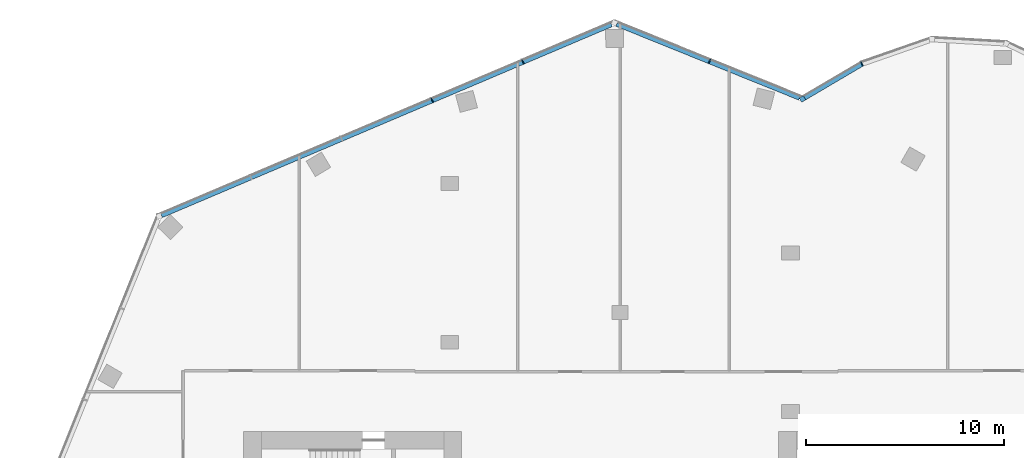
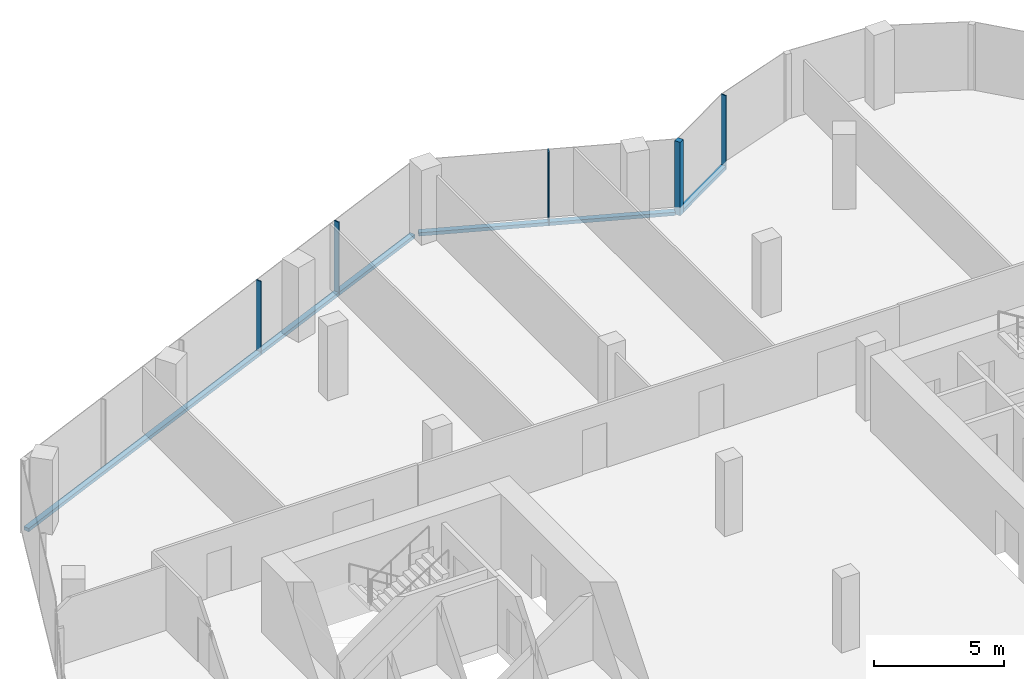
# One storey, part 7 of 17: 8 members, 4 elements without a shape of their own.
"""IFC4 building model written with IfcOpenShell, lengths in metres."""

import ifcopenshell
import ifcopenshell.guid

model = None  # the IFC model being written
_history = None  # IfcOwnerHistory: only IFC2X3 demands one
_inside = {}  # id of a spatial element -> (the spatial element, [elements in it])
_under = {}  # id of a project, library or spatial element -> (it, [spatial elements below it])
_declared = {}  # id of a project -> (the project, [libraries it declares])
_typed = {}  # id of a type object -> (the type object, [elements of that type])
_made_of = {}  # id of a material, layer set ... -> (it, [elements and type objects made of it])


def new_model(schema):
    """Start an empty IFC model of exactly this schema.

    Asked for "IFC4X3", IfcOpenShell would pick the latest addendum, in which some entities
    have other attributes; the version numbers below select the first issue.
    IFC2X3 requires an IfcOwnerHistory on every rooted entity: one is made here for all.
    """
    global model, _history
    if schema == "IFC4X3":
        model = ifcopenshell.file(schema_version=(4, 3, 0, 0))
    else:
        model = ifcopenshell.file(schema=schema)
    _inside.clear()
    _under.clear()
    _declared.clear()
    _typed.clear()
    _made_of.clear()
    _history = None
    if model.schema == "IFC2X3":
        org = make("IfcOrganization", Name="unknown")
        user = make(
            "IfcPersonAndOrganization",
            ThePerson=make("IfcPerson", FamilyName="unknown"),
            TheOrganization=org,
        )
        app = make(
            "IfcApplication",
            ApplicationDeveloper=org,
            Version="unknown",
            ApplicationFullName="unknown",
            ApplicationIdentifier="unknown",
        )
        _history = make(
            "IfcOwnerHistory",
            OwningUser=user,
            OwningApplication=app,
            ChangeAction="ADDED",
            CreationDate=0,
        )
    return model


def make(cls, **values):
    """One entity of the class cls with the attributes given. An attribute that is None is left unset."""
    return model.create_entity(
        cls, **{name: value for name, value in values.items() if value is not None}
    )


def rooted(cls, **values):
    """An entity with a GlobalId (a new one), such as an element, a storey or a relation."""
    return make(cls, GlobalId=ifcopenshell.guid.new(), OwnerHistory=_history, **values)


def si_unit(unit_type, name, prefix=None):
    """IfcSIUnit, for example si_unit("LENGTHUNIT", "METRE", prefix="MILLI")."""
    return make("IfcSIUnit", UnitType=unit_type, Prefix=prefix, Name=name)


def assignment(units):
    """IfcUnitAssignment: the units of a project."""
    return None if units is None else make("IfcUnitAssignment", Units=units)


def point(xyz):
    """IfcCartesianPoint."""
    return None if xyz is None else make("IfcCartesianPoint", Coordinates=xyz)


def direction(xyz):
    """IfcDirection."""
    return None if xyz is None else make("IfcDirection", DirectionRatios=xyz)


def frame(location, z_axis=None, x_axis=None):
    """IfcAxis2Placement3D, a coordinate frame: its origin and axes. An axis left out is left unset."""
    return make(
        "IfcAxis2Placement3D",
        Location=point(location),
        Axis=direction(z_axis),
        RefDirection=direction(x_axis),
    )


def frame_2d(location, x_axis=None):
    """IfcAxis2Placement2D, a coordinate frame in the plane: its origin and x axis."""
    return make(
        "IfcAxis2Placement2D", Location=point(location), RefDirection=direction(x_axis)
    )


def origin():
    """The frame at (0, 0, 0) with its axes left unset."""
    return frame((0.0, 0.0, 0.0))


def origin_2d():
    """The frame at (0, 0) in the plane with its x axis left unset."""
    return frame_2d((0.0, 0.0))


def place(relative_to, where):
    """IfcLocalPlacement: puts the frame where relative to a parent placement (None: the world)."""
    return make(
        "IfcLocalPlacement", PlacementRelTo=relative_to, RelativePlacement=where
    )


def context(
    kind, dimensions, precision=None, world=None, true_north=None, identifier=None
):
    """IfcGeometricRepresentationContext, for example the 3D "Model" context."""
    return make(
        "IfcGeometricRepresentationContext",
        ContextIdentifier=identifier,
        ContextType=kind,
        CoordinateSpaceDimension=dimensions,
        Precision=precision,
        WorldCoordinateSystem=world,
        TrueNorth=true_north,
    )


def subcontext(parent, identifier, kind, view, scale=None):
    """IfcGeometricRepresentationSubContext, for example "Body" below "Model"."""
    return make(
        "IfcGeometricRepresentationSubContext",
        ContextIdentifier=identifier,
        ContextType=kind,
        ParentContext=parent,
        TargetScale=scale,
        TargetView=view,
    )


def project(units=None, contexts=None):
    """IfcProject with its units and contexts."""
    return rooted(
        "IfcProject",
        Name="project",
        RepresentationContexts=contexts,
        UnitsInContext=assignment(units),
    )


def spatial(cls, under=None, at=None, **own):
    """A site, building, storey or space (cls), placed at a placement, below another one or the project."""
    s = rooted(cls, ObjectPlacement=at, **own)
    if under is not None:
        _under.setdefault(under.id(), (under, []))[1].append(s)
    return s


def profile(cls, at=None, kind="AREA", **sizes):
    """A parametric profile (cls). Its sizes go by their IFC names, for example OverallWidth=200.0."""
    return make(cls, ProfileType=kind, Position=at, **sizes)


def rectangle(**sizes):
    """IfcRectangleProfileDef."""
    return profile("IfcRectangleProfileDef", **sizes)


def extrude(swept, where, along, depth):
    """IfcExtrudedAreaSolid: the profile swept, set in the frame where, extruded along a direction by depth."""
    return make(
        "IfcExtrudedAreaSolid",
        SweptArea=swept,
        Position=where,
        ExtrudedDirection=direction(along),
        Depth=depth,
    )


def shape(context_of_items, identifier, shape_type, items):
    """IfcShapeRepresentation: the items that make up one representation, for example the "Body"."""
    return make(
        "IfcShapeRepresentation",
        ContextOfItems=context_of_items,
        RepresentationIdentifier=identifier,
        RepresentationType=shape_type,
        Items=items,
    )


def material(Name=None, Category=None):
    """IfcMaterial."""
    return make("IfcMaterial", Name=Name, Category=Category)


def material_profile(
    of_material, cross_section, Name=None, Category=None, Priority=None
):
    """IfcMaterialProfile: a cross section and its material."""
    return make(
        "IfcMaterialProfile",
        Name=Name,
        Material=of_material,
        Profile=cross_section,
        Priority=Priority,
        Category=Category,
    )


def profile_set(profiles, Name=None, composite=None):
    """IfcMaterialProfileSet."""
    return make(
        "IfcMaterialProfileSet",
        Name=Name,
        MaterialProfiles=profiles,
        CompositeProfile=composite,
    )


def made_of(thing, what):
    """Note that an element or type object is made of a material, layer set ...; save() writes the relation."""
    if what is not None:
        _made_of.setdefault(what.id(), (what, []))[1].append(thing)
    return thing


def type_object(cls, material=None, **own):
    """A type object (cls), such as IfcWallType, which elements share."""
    return made_of(rooted(cls, **own), material)


def element(
    cls,
    number,
    at=None,
    inside=None,
    cuts=None,
    type_object=None,
    material=None,
    context=None,
    identifier="Body",
    shape_type=None,
    held_by="IfcProductDefinitionShape",
    body=None,
    shapes=None,
    **own,
):
    """One element of the class cls, such as IfcWall. Its Tag is "e" and its number.

    at: its placement. inside: the storey or other place that contains it. cuts: it is an
    opening in that element (IfcRelVoidsElement). A single representation is given by context,
    identifier, shape_type and body (its items); several are given by shapes. held_by: the class
    of the entity that holds the representations. save() writes the other relations.
    """
    e = rooted(cls, Tag="e%d" % number, ObjectPlacement=at, **own)
    if body is not None:
        shapes = [shape(context, identifier, shape_type, body)]
    if shapes is not None:
        e.Representation = make(held_by, Representations=shapes)
    if inside is not None:
        _inside.setdefault(inside.id(), (inside, []))[1].append(e)
    if cuts is not None:
        rooted(
            "IfcRelVoidsElement", RelatingBuildingElement=cuts, RelatedOpeningElement=e
        )
    if type_object is not None:
        _typed.setdefault(type_object.id(), (type_object, []))[1].append(e)
    return made_of(e, material)


def aggregate(whole, parts):
    """IfcRelAggregates: a whole, such as a stair, and the parts it consists of."""
    return rooted("IfcRelAggregates", RelatingObject=whole, RelatedObjects=parts)


def save(model, path):
    """Write the relations noted so far, then the file.

    IfcRelAggregates (storeys below a building ...), IfcRelContainedInSpatialStructure (elements
    in a storey), IfcRelDefinesByType, IfcRelAssociatesMaterial and IfcRelDeclares: one each for
    every whole, place, type object, material and project.
    """
    for whole, parts in _under.values():
        aggregate(whole, parts)
    for where, things in _inside.values():
        rooted(
            "IfcRelContainedInSpatialStructure",
            RelatedElements=things,
            RelatingStructure=where,
        )
    for kind, things in _typed.values():
        rooted("IfcRelDefinesByType", RelatedObjects=things, RelatingType=kind)
    for what, things in _made_of.values():
        rooted("IfcRelAssociatesMaterial", RelatedObjects=things, RelatingMaterial=what)
    for by, libraries in _declared.values():
        rooted("IfcRelDeclares", RelatingContext=by, RelatedDefinitions=libraries)
    model.write(path)


model = new_model("IFC4")

# Units and contexts
model_context = context("Model", 3, precision=1e-05, world=origin(), true_north=direction((0.0, 1.0)))
body_context = subcontext(model_context, "Body", "Model", "MODEL_VIEW")
ifc_project = project(units=[si_unit("LENGTHUNIT", "METRE"), si_unit("AREAUNIT", "SQUARE_METRE"), si_unit("VOLUMEUNIT", "CUBIC_METRE"), si_unit("PLANEANGLEUNIT", "RADIAN"), si_unit("MASSUNIT", "GRAM", prefix="KILO")], contexts=[model_context])

# Site, building, storey
site_placement = place(None, origin())
site = spatial("IfcSite", under=ifc_project, at=site_placement, CompositionType="ELEMENT")
building_placement = place(site_placement, origin())
building = spatial("IfcBuilding", under=site, at=building_placement, Name="Orlundy Tower", CompositionType="ELEMENT")
storey_placement = place(building_placement, frame((0.0, 0.0, 296.39990234375)))
storey = spatial("IfcBuildingStorey", under=building, at=storey_placement, Name="L79", CompositionType="ELEMENT", Elevation=296.39990234375)

# Curtain wall, member
ifc_material_1 = material(Name="Aluminium bronze anodised", Category="aluminium")
curtain_wall_type = type_object("IfcCurtainWallType", Name="CW6 wall", PredefinedType="NOTDEFINED", material=ifc_material_1)
curtain_wall_1_placement = place(storey_placement, origin())
curtain_wall_1 = element("IfcCurtainWall", 1, at=curtain_wall_1_placement, inside=storey, type_object=curtain_wall_type, Name="CW6 run 08", PredefinedType="NOTDEFINED")
ifc_material_2 = material(Name="Aluminium bronze anodised", Category="aluminium")
ifc_material_profile_1 = material_profile(ifc_material_2, rectangle(XDim=0.239990234375, YDim=0.239990234375, at=origin_2d()), Name="CW6 corner post 240x240")
ifc_profile_set_1 = profile_set([ifc_material_profile_1], Name="Aluminium bronze anodised")
member_type_1 = type_object("IfcMemberType", Name="CW6 corner post 240x240", PredefinedType="MULLION", material=ifc_profile_set_1)
member_1_placement = place(storey_placement, frame((9.197998046875, 28.76953125, -0.39990234375), z_axis=(0.0, 0.0, 1.0), x_axis=(-0.507527218917, 0.861635724688, 0.0)))
member_1 = element("IfcMember", 2, at=member_1_placement, type_object=member_type_1, Name="CW6 mullion 33", PredefinedType="MULLION", context=body_context, shape_type="SweptSolid", body=[
    extrude(rectangle(XDim=0.239990234375, YDim=0.239990234375, at=origin_2d()), origin(), (0.0, 0.0, 1.0), 3.449951171875),
])

# Curtain wall, members
curtain_wall_2_placement = place(storey_placement, origin())
curtain_wall_2 = element("IfcCurtainWall", 3, at=curtain_wall_2_placement, inside=storey, type_object=curtain_wall_type, Name="CW6 run 06", PredefinedType="NOTDEFINED")
ifc_material_3 = material(Name="Aluminium bronze anodised", Category="aluminium")
ifc_material_profile_2 = material_profile(ifc_material_3, rectangle(XDim=0.239990234375, YDim=0.050048828125, at=origin_2d()), Name="CW6 mullion 50x240")
ifc_profile_set_2 = profile_set([ifc_material_profile_2], Name="Aluminium bronze anodised")
member_type_2 = type_object("IfcMemberType", Name="CW6 mullion 50x240", PredefinedType="MULLION", material=ifc_profile_set_2)
member_2_placement = place(storey_placement, frame((-9.481201171875, 28.697021484375, -0.39990234375), z_axis=(0.0, 0.0, 1.0), x_axis=(-0.390726531244, 0.920506804854, 0.0)))
member_2 = element("IfcMember", 4, at=member_2_placement, type_object=member_type_2, Name="CW6 mullion 29", PredefinedType="MULLION", context=body_context, shape_type="SweptSolid", body=[
    extrude(rectangle(XDim=0.239990234375, YDim=0.050048828125, at=origin_2d()), origin(), (0.0, 0.0, 1.0), 3.449951171875),
])
member_3_placement = place(storey_placement, frame((-4.905517578125, 30.63916015625, -0.39990234375), z_axis=(0.0, 0.0, 1.0), x_axis=(-0.390726531244, 0.920506804854, 0.0)))
member_3 = element("IfcMember", 5, at=member_3_placement, type_object=member_type_2, Name="CW6 mullion 30", PredefinedType="MULLION", context=body_context, shape_type="SweptSolid", body=[
    extrude(rectangle(XDim=0.239990234375, YDim=0.050048828125, at=origin_2d()), origin(), (0.0, 0.0, 1.0), 3.449951171875),
])

# Curtain wall, member
curtain_wall_3_placement = place(storey_placement, origin())
curtain_wall_3 = element("IfcCurtainWall", 6, at=curtain_wall_3_placement, inside=storey, type_object=curtain_wall_type, Name="CW6 run 07", PredefinedType="NOTDEFINED")
member_4_placement = place(storey_placement, frame((4.507568359375, 30.664794921875, -0.39990234375), z_axis=(0.0, 0.0, 1.0), x_axis=(0.374639101319, 0.927170719858, 0.0)))
member_4 = element("IfcMember", 7, at=member_4_placement, type_object=member_type_2, Name="CW6 mullion 32", PredefinedType="MULLION", context=body_context, shape_type="SweptSolid", body=[
    extrude(rectangle(XDim=0.239990234375, YDim=0.050048828125, at=origin_2d()), origin(), (0.0, 0.0, 1.0), 3.449951171875),
])

curtain_wall_4_placement = place(storey_placement, origin())
curtain_wall_4 = element("IfcCurtainWall", 8, at=curtain_wall_4_placement, inside=storey, type_object=curtain_wall_type, Name="CW6 run 09", PredefinedType="NOTDEFINED")
member_5_placement = place(storey_placement, frame((12.201171875, 30.538330078125, -0.39990234375), z_axis=(0.0, 0.0, 1.0), x_axis=(-0.420645052981, 0.907225296937, 0.0)))
member_5 = element("IfcMember", 9, at=member_5_placement, type_object=member_type_2, Name="CW6 mullion 34", PredefinedType="MULLION", context=body_context, shape_type="SweptSolid", body=[
    extrude(rectangle(XDim=0.239990234375, YDim=0.050048828125, at=origin_2d()), origin(), (0.0, 0.0, 1.0), 3.449951171875),
])
aggregate(curtain_wall_4, [member_5])

# Member
ifc_material_4 = material(Name="Aluminium bronze anodised", Category="aluminium")
ifc_material_profile_3 = material_profile(ifc_material_4, rectangle(XDim=0.239990234375, YDim=0.159912109375, at=origin_2d()), Name="CW6 transom 240x160")
ifc_profile_set_3 = profile_set([ifc_material_profile_3], Name="Aluminium bronze anodised")
member_type_3 = type_object("IfcMemberType", Name="CW6 transom 240x160", PredefinedType="USERDEFINED", material=ifc_profile_set_3)
member_6_placement = place(storey_placement, frame((-23.14306640625, 22.89794921875, -0.31982421875), z_axis=(0.920504544268, 0.390731856881, 0.0), x_axis=(-0.390731856881, 0.920504544268, 0.0)))
member_6 = element("IfcMember", 10, at=member_6_placement, type_object=member_type_3, Name="CW6 transom", ObjectType="TRANSOM", PredefinedType="USERDEFINED", context=body_context, shape_type="SweptSolid", body=[
    extrude(rectangle(XDim=0.239990234375, YDim=0.159912109375, at=origin_2d()), origin(), (0.0, 0.0, 1.0), 24.663330078125),
])

aggregate(curtain_wall_2, [member_2, member_3, member_6])

member_7_placement = place(storey_placement, frame((-0.1728515625, 32.555908203125, -0.31982421875), z_axis=(0.927173868199, -0.374631309595, 0.0), x_axis=(0.374631309595, 0.927173868199, 0.0)))
member_7 = element("IfcMember", 11, at=member_7_placement, type_object=member_type_3, Name="CW6 transom", ObjectType="TRANSOM", PredefinedType="USERDEFINED", context=body_context, shape_type="SweptSolid", body=[
    extrude(rectangle(XDim=0.239990234375, YDim=0.159912109375, at=origin_2d()), origin(), (0.0, 0.0, 1.0), 9.955810546875),
])

aggregate(curtain_wall_3, [member_4, member_7])

member_8_placement = place(storey_placement, frame((9.301513671875, 28.830322265625, -0.31982421875), z_axis=(0.861637205175, 0.507524705466, 0.0), x_axis=(-0.507524705466, 0.861637205175, 0.0)))
member_8 = element("IfcMember", 12, at=member_8_placement, type_object=member_type_3, Name="CW6 transom", ObjectType="TRANSOM", PredefinedType="USERDEFINED", context=body_context, shape_type="SweptSolid", body=[
    extrude(rectangle(XDim=0.239990234375, YDim=0.159912109375, at=origin_2d()), origin(), (0.0, 0.0, 1.0), 3.34033203125),
])

aggregate(curtain_wall_1, [member_1, member_8])

save(model, "model.ifc")
